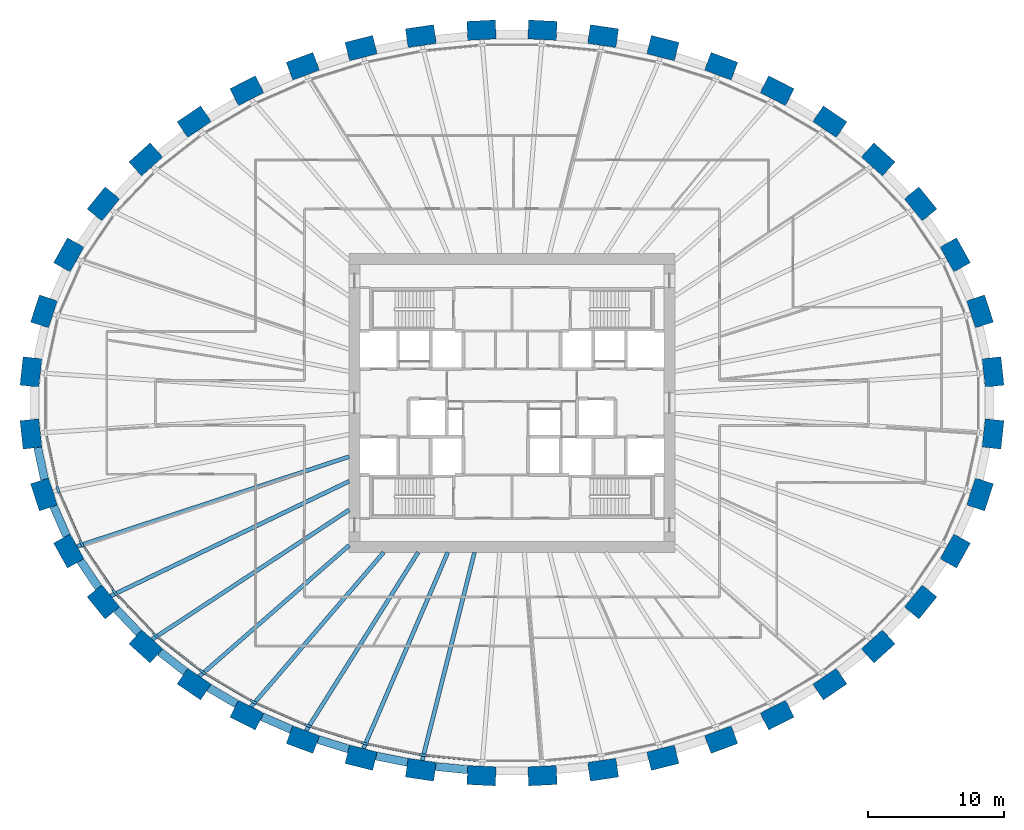
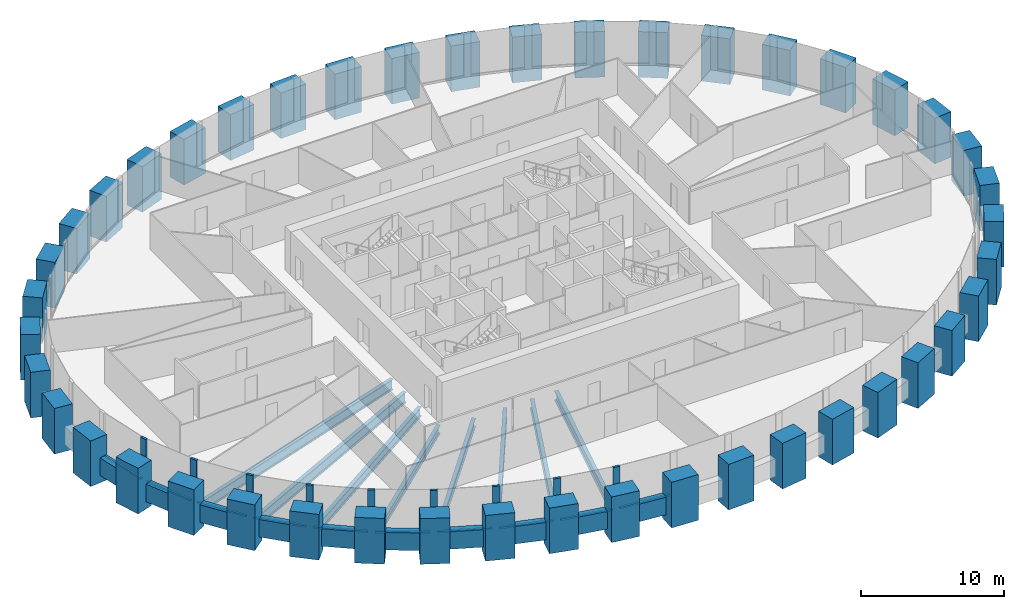
# One storey, part 1 of 11: 44 columns, 19 members, 18 beams, 1 element without a shape of its own.
"""IFC4 building model written with IfcOpenShell, lengths in metres."""

from ifc_helpers import new_model, si_unit, direction, frame, origin, origin_2d, place, context, subcontext, project, spatial, rectangle, i_section, extrude, source, transform, mapped, material, material_profile, profile_set, type_object, element, aggregate, save


model = new_model("IFC4")

# Units and contexts
model_context = context("Model", 3, precision=1e-05, world=origin(), true_north=direction((0.0, 1.0)))
body_context = subcontext(model_context, "Body", "Model", "MODEL_VIEW")
ifc_project = project(units=[si_unit("LENGTHUNIT", "METRE"), si_unit("AREAUNIT", "SQUARE_METRE"), si_unit("VOLUMEUNIT", "CUBIC_METRE"), si_unit("PLANEANGLEUNIT", "RADIAN"), si_unit("MASSUNIT", "GRAM", prefix="KILO")], contexts=[model_context])

# Site, building, storey
site_placement = place(None, origin())
site = spatial("IfcSite", under=ifc_project, at=site_placement, CompositionType="ELEMENT")
building_placement = place(site_placement, origin())
building = spatial("IfcBuilding", under=site, at=building_placement, Name="Embergate Tower", CompositionType="ELEMENT")
storey_placement = place(building_placement, frame((0.0, 0.0, 211.199951171875)))
storey = spatial("IfcBuildingStorey", under=building, at=storey_placement, Name="L48", CompositionType="ELEMENT", Elevation=211.199951171875)

# Columns
ifc_material_1 = material(Name="Concrete C60", Category="concrete")
ifc_material_profile_1 = material_profile(ifc_material_1, rectangle(XDim=1.39990234375, YDim=2.10009765625, at=origin_2d()), Name="RC 1400x2100")
ifc_profile_set_1 = profile_set([ifc_material_profile_1], Name="Concrete C60")
column_type = type_object("IfcColumnType", Name="Ring column RC 1400x2100 C60", PredefinedType="COLUMN", material=ifc_profile_set_1)
shared_shape_1 = source(origin(), body_context, "Body", "SweptSolid", [
    extrude(rectangle(XDim=1.39990234375, YDim=2.10009765625, at=origin_2d()), origin(), (0.0, 0.0, 1.0), 3.89990234375),
])
for number, where, z_axis, x_axis, name in (
    (1, (35.43701171875, 2.281982421875, -1.39990234375), (0.0, 0.0, 1.0), (0.99428589498, 0.106749983816, 0.0), "COL-L48-00"),
    (2, (34.47802734375, 6.739013671875, -1.39990234375), (0.0, 0.0, 1.0), (0.950754033697, 0.309946394413, 0.0), "COL-L48-01"),
    (3, (32.64990234375, 10.906982421875, -1.39990234375), (0.0, 0.0, 1.0), (0.873500465855, 0.486823311018, 0.0), "COL-L48-02"),
    (4, (30.097900390625, 14.659912109375, -1.39990234375), (0.0, 0.0, 1.0), (0.775925311702, 0.630824786022, 0.0), "COL-L48-03"),
    (5, (26.97509765625, 17.93603515625, -1.39990234375), (0.0, 0.0, 1.0), (0.669221393633, 0.743063070206, 0.0), "COL-L48-04"),
    (6, (23.4150390625, 20.714111328125, -1.39990234375), (0.0, 0.0, 1.0), (0.560393279442, 0.828226643109, 0.0), "COL-L48-05"),
    (7, (19.530029296875, 22.998046875, -1.39990234375), (0.0, 0.0, 1.0), (0.453010512651, 0.891505174089, 0.0), "COL-L48-06"),
    (8, (15.407958984375, 24.801025390625, -1.39990234375), (0.0, 0.0, 1.0), (0.348343015724, 0.93736713373, 0.0), "COL-L48-07"),
    (9, (11.115966796875, 26.137939453125, -1.39990234375), (0.0, 0.0, 1.0), (0.24650851817, 0.969140624713, 0.0), "COL-L48-08"),
    (10, (6.7119140625, 27.02099609375, -1.39990234375), (0.0, 0.0, 1.0), (0.146929011949, 0.989147039346, 0.0), "COL-L48-09"),
    (11, (2.243896484375, 27.4599609375, -1.39990234375), (0.0, 0.0, 1.0), (0.048814904854, 0.998807841912, 0.0), "COL-L48-10"),
    (12, (-2.243896484375, 27.4599609375, -1.39990234375), (0.0, 0.0, 1.0), (-0.048814904854, 0.998807841912, 0.0), "COL-L48-11"),
    (13, (-6.7119140625, 27.02099609375, -1.39990234375), (0.0, 0.0, 1.0), (-0.146929011949, 0.989147039346, 0.0), "COL-L48-12"),
    (14, (-11.115966796875, 26.137939453125, -1.39990234375), (0.0, 0.0, 1.0), (-0.24650851817, 0.969140624713, 0.0), "COL-L48-13"),
    (15, (-15.407958984375, 24.801025390625, -1.39990234375), (0.0, 0.0, 1.0), (-0.348343015724, 0.93736713373, 0.0), "COL-L48-14"),
    (16, (-19.530029296875, 22.998046875, -1.39990234375), (0.0, 0.0, 1.0), (-0.453010512651, 0.891505174089, 0.0), "COL-L48-15"),
    (17, (-23.4150390625, 20.714111328125, -1.39990234375), (0.0, 0.0, 1.0), (-0.560393279442, 0.828226643109, 0.0), "COL-L48-16"),
    (18, (-26.97509765625, 17.93603515625, -1.39990234375), (0.0, 0.0, 1.0), (-0.669221393633, 0.743063070206, 0.0), "COL-L48-17"),
    (19, (-30.097900390625, 14.659912109375, -1.39990234375), (0.0, 0.0, 1.0), (-0.775925311702, 0.630824786022, 0.0), "COL-L48-18"),
    (20, (-32.64990234375, 10.906982421875, -1.39990234375), (0.0, 0.0, 1.0), (-0.873500465855, 0.486823311018, 0.0), "COL-L48-19"),
    (21, (-34.47802734375, 6.739013671875, -1.39990234375), (0.0, 0.0, 1.0), (-0.950754033697, 0.309946394413, 0.0), "COL-L48-20"),
    (22, (-35.43701171875, 2.281982421875, -1.39990234375), (0.0, 0.0, 1.0), (-0.99428589498, 0.106749983816, 0.0), "COL-L48-21"),
    (23, (-35.43701171875, -2.281982421875, -1.39990234375), (0.0, 0.0, 1.0), (-0.99428589498, -0.106749983816, 0.0), "COL-L48-22"),
    (24, (-34.47802734375, -6.739013671875, -1.39990234375), (0.0, 0.0, 1.0), (-0.950754033697, -0.309946394413, 0.0), "COL-L48-23"),
    (25, (-32.64990234375, -10.906982421875, -1.39990234375), (0.0, 0.0, 1.0), (-0.873500465855, -0.486823311018, 0.0), "COL-L48-24"),
    (26, (-30.097900390625, -14.659912109375, -1.39990234375), (0.0, 0.0, 1.0), (-0.775925311702, -0.630824786022, 0.0), "COL-L48-25"),
    (27, (-26.97509765625, -17.93603515625, -1.39990234375), (0.0, 0.0, 1.0), (-0.669221393633, -0.743063070206, 0.0), "COL-L48-26"),
    (28, (-23.4150390625, -20.714111328125, -1.39990234375), (0.0, 0.0, 1.0), (-0.560393279442, -0.828226643109, 0.0), "COL-L48-27"),
    (29, (-19.530029296875, -22.998046875, -1.39990234375), (0.0, 0.0, 1.0), (-0.453010512651, -0.891505174089, 0.0), "COL-L48-28"),
    (30, (-15.407958984375, -24.801025390625, -1.39990234375), (0.0, 0.0, 1.0), (-0.348343015724, -0.93736713373, 0.0), "COL-L48-29"),
    (31, (-11.115966796875, -26.137939453125, -1.39990234375), (0.0, 0.0, 1.0), (-0.24650851817, -0.969140624713, 0.0), "COL-L48-30"),
    (32, (-6.7119140625, -27.02099609375, -1.39990234375), (0.0, 0.0, 1.0), (-0.146929011949, -0.989147039346, 0.0), "COL-L48-31"),
    (33, (-2.243896484375, -27.4599609375, -1.39990234375), (0.0, 0.0, 1.0), (-0.048814904854, -0.998807841912, 0.0), "COL-L48-32"),
    (34, (2.243896484375, -27.4599609375, -1.39990234375), (0.0, 0.0, 1.0), (0.048814904854, -0.998807841912, 0.0), "COL-L48-33"),
    (35, (6.7119140625, -27.02099609375, -1.39990234375), (0.0, 0.0, 1.0), (0.146929011949, -0.989147039346, 0.0), "COL-L48-34"),
    (36, (11.115966796875, -26.137939453125, -1.39990234375), (0.0, 0.0, 1.0), (0.24650851817, -0.969140624713, 0.0), "COL-L48-35"),
    (37, (15.407958984375, -24.801025390625, -1.39990234375), (0.0, 0.0, 1.0), (0.348343015724, -0.93736713373, 0.0), "COL-L48-36"),
    (38, (19.530029296875, -22.998046875, -1.39990234375), (0.0, 0.0, 1.0), (0.453010512651, -0.891505174089, 0.0), "COL-L48-37"),
    (39, (23.4150390625, -20.714111328125, -1.39990234375), (0.0, 0.0, 1.0), (0.560393279442, -0.828226643109, 0.0), "COL-L48-38"),
    (40, (26.97509765625, -17.93603515625, -1.39990234375), (0.0, 0.0, 1.0), (0.669221393633, -0.743063070206, 0.0), "COL-L48-39"),
    (41, (30.097900390625, -14.659912109375, -1.39990234375), (0.0, 0.0, 1.0), (0.775925311702, -0.630824786022, 0.0), "COL-L48-40"),
    (42, (32.64990234375, -10.906982421875, -1.39990234375), (0.0, 0.0, 1.0), (0.873500465855, -0.486823311018, 0.0), "COL-L48-41"),
    (43, (34.47802734375, -6.739013671875, -1.39990234375), (0.0, 0.0, 1.0), (0.950754033697, -0.309946394413, 0.0), "COL-L48-42"),
    (44, (35.43701171875, -2.281982421875, -1.39990234375), (0.0, 0.0, 1.0), (0.99428589498, -0.106749983816, 0.0), "COL-L48-43"),
):
    element("IfcColumn", number, at=place(storey_placement, frame(where, z_axis=z_axis, x_axis=x_axis)), inside=storey, type_object=column_type, Name=name, PredefinedType="COLUMN", context=body_context, shape_type="MappedRepresentation", body=[
        mapped(shared_shape_1, transform((0.0, 0.0, 0.0))),
    ])

# Beams
ifc_material_profile_2 = material_profile(ifc_material_1, rectangle(XDim=0.60009765625, YDim=1.5, at=origin_2d()), Name="RC 600x1500")
ifc_profile_set_2 = profile_set([ifc_material_profile_2], Name="Concrete C60")
beam_type_1 = type_object("IfcBeamType", Name="Spandrel beam RC 600x1500 C60", PredefinedType="BEAM", material=ifc_profile_set_2)
shared_shape_2 = source(origin(), body_context, "Body", "SweptSolid", [
    extrude(rectangle(XDim=0.60009765625, YDim=1.5, at=origin_2d()), origin(), (0.0, 0.0, 1.0), 2.3896484375),
])
beam_1_placement = place(storey_placement, frame((-34.93896484375, -3.284912109375, 0.0), z_axis=(0.21045693854, -0.977603128586, 0.0), x_axis=(0.977603128586, 0.21045693854, 0.0)))
element("IfcBeam", 45, at=beam_1_placement, inside=storey, type_object=beam_type_1, Name="SPN-L48-22", PredefinedType="BEAM", context=body_context, shape_type="MappedRepresentation", body=[
    mapped(shared_shape_2, transform((0.0, 0.0, 0.0))),
])
shared_shape_3 = source(origin(), body_context, "Body", "SweptSolid", [
    extrude(rectangle(XDim=0.60009765625, YDim=1.5, at=origin_2d()), origin(), (0.0, 0.0, 1.0), 2.3837890625),
])
beam_2_placement = place(storey_placement, frame((-33.77099609375, -7.613037109375, 0.0), z_axis=(0.401876968148, -0.915693672836, 0.0), x_axis=(0.915693672836, 0.401876968148, 0.0)))
element("IfcBeam", 46, at=beam_2_placement, inside=storey, type_object=beam_type_1, Name="SPN-L48-23", PredefinedType="BEAM", context=body_context, shape_type="MappedRepresentation", body=[
    mapped(shared_shape_3, transform((0.0, 0.0, 0.0))),
])
shared_shape_4 = source(origin(), body_context, "Body", "SweptSolid", [
    extrude(rectangle(XDim=0.60009765625, YDim=1.5, at=origin_2d()), origin(), (0.0, 0.0, 1.0), 2.379150390625),
])
beam_3_placement = place(storey_placement, frame((-31.797119140625, -11.633056640625, 0.0), z_axis=(0.562467199194, -0.826819599327, 0.0), x_axis=(0.826819599327, 0.562467199194, 0.0)))
element("IfcBeam", 47, at=beam_3_placement, inside=storey, type_object=beam_type_1, Name="SPN-L48-24", PredefinedType="BEAM", context=body_context, shape_type="MappedRepresentation", body=[
    mapped(shared_shape_4, transform((0.0, 0.0, 0.0))),
])
shared_shape_5 = source(origin(), body_context, "Body", "SweptSolid", [
    extrude(rectangle(XDim=0.60009765625, YDim=1.5, at=origin_2d()), origin(), (0.0, 0.0, 1.0), 2.370849609375),
])
beam_4_placement = place(storey_placement, frame((-29.1240234375, -15.220947265625, 0.0), z_axis=(0.690017631866, -0.723792558482, 0.0), x_axis=(0.723792558482, 0.690017631866, 0.0)))
element("IfcBeam", 48, at=beam_4_placement, inside=storey, type_object=beam_type_1, Name="SPN-L48-25", PredefinedType="BEAM", context=body_context, shape_type="MappedRepresentation", body=[
    mapped(shared_shape_5, transform((0.0, 0.0, 0.0))),
])
shared_shape_6 = source(origin(), body_context, "Body", "SweptSolid", [
    extrude(rectangle(XDim=0.60009765625, YDim=1.5, at=origin_2d()), origin(), (0.0, 0.0, 1.0), 2.366943359375),
])
beam_5_placement = place(storey_placement, frame((-25.931884765625, -18.345947265625, 0.0), z_axis=(0.788379233054, -0.615189552, 0.0), x_axis=(0.615189552, 0.788379233054, 0.0)))
element("IfcBeam", 49, at=beam_5_placement, inside=storey, type_object=beam_type_1, Name="SPN-L48-26", PredefinedType="BEAM", context=body_context, shape_type="MappedRepresentation", body=[
    mapped(shared_shape_6, transform((0.0, 0.0, 0.0))),
])
shared_shape_7 = source(origin(), body_context, "Body", "SweptSolid", [
    extrude(rectangle(XDim=0.60009765625, YDim=1.5, at=origin_2d()), origin(), (0.0, 0.0, 1.0), 2.36279296875),
])
beam_6_placement = place(storey_placement, frame((-22.3291015625, -20.98291015625, 0.0), z_axis=(0.862170527893, -0.50661818052, 0.0), x_axis=(0.50661818052, 0.862170527893, 0.0)))
element("IfcBeam", 50, at=beam_6_placement, inside=storey, type_object=beam_type_1, Name="SPN-L48-27", PredefinedType="BEAM", context=body_context, shape_type="MappedRepresentation", body=[
    mapped(shared_shape_7, transform((0.0, 0.0, 0.0))),
])
shared_shape_8 = source(origin(), body_context, "Body", "SweptSolid", [
    extrude(rectangle(XDim=0.60009765625, YDim=1.5, at=origin_2d()), origin(), (0.0, 0.0, 1.0), 2.357421875),
])
beam_7_placement = place(storey_placement, frame((-18.4130859375, -23.116943359375, 0.0), z_axis=(0.91630938503, -0.400471111201, 0.0), x_axis=(0.400471111201, 0.91630938503, 0.0)))
element("IfcBeam", 51, at=beam_7_placement, inside=storey, type_object=beam_type_1, Name="SPN-L48-28", PredefinedType="BEAM", context=body_context, shape_type="MappedRepresentation", body=[
    mapped(shared_shape_8, transform((0.0, 0.0, 0.0))),
])
shared_shape_9 = source(origin(), body_context, "Body", "SweptSolid", [
    extrude(rectangle(XDim=0.60009765625, YDim=1.5, at=origin_2d()), origin(), (0.0, 0.0, 1.0), 2.3564453125),
])
beam_8_placement = place(storey_placement, frame((-14.285888671875, -24.7958984375, 0.0), z_axis=(0.95483326256, -0.297142122073, 0.0), x_axis=(0.297142122073, 0.95483326256, 0.0)))
element("IfcBeam", 52, at=beam_8_placement, inside=storey, type_object=beam_type_1, Name="SPN-L48-29", PredefinedType="BEAM", context=body_context, shape_type="MappedRepresentation", body=[
    mapped(shared_shape_9, transform((0.0, 0.0, 0.0))),
])
shared_shape_10 = source(origin(), body_context, "Body", "SweptSolid", [
    extrude(rectangle(XDim=0.60009765625, YDim=1.5, at=origin_2d()), origin(), (0.0, 0.0, 1.0), 2.353515625),
])
beam_9_placement = place(storey_placement, frame((-10.0009765625, -26.01611328125, 0.0), z_axis=(0.980552738639, -0.196255768698, 0.0), x_axis=(0.196255768698, 0.980552738639, 0.0)))
element("IfcBeam", 53, at=beam_9_placement, inside=storey, type_object=beam_type_1, Name="SPN-L48-30", PredefinedType="BEAM", context=body_context, shape_type="MappedRepresentation", body=[
    mapped(shared_shape_10, transform((0.0, 0.0, 0.0))),
])
shared_shape_11 = source(origin(), body_context, "Body", "SweptSolid", [
    extrude(rectangle(XDim=0.60009765625, YDim=1.5, at=origin_2d()), origin(), (0.0, 0.0, 1.0), 2.353271484375),
])
beam_10_placement = place(storey_placement, frame((-5.615966796875, -26.7880859375, 0.0), z_axis=(0.99521330308, -0.097726564318, 0.0), x_axis=(0.097726564318, 0.99521330308, 0.0)))
element("IfcBeam", 54, at=beam_10_placement, inside=storey, type_object=beam_type_1, Name="SPN-L48-31", PredefinedType="BEAM", context=body_context, shape_type="MappedRepresentation", body=[
    mapped(shared_shape_11, transform((0.0, 0.0, 0.0))),
])
ifc_material_2 = material(Name="Steel Q355B", Category="steel")
ifc_material_profile_3 = material_profile(ifc_material_2, i_section(OverallWidth=0.300048828125, OverallDepth=0.89990234375, WebThickness=0.01611328125, FlangeThickness=0.028076171875, FilletRadius=0.028076171875, at=origin_2d()), Name="HN 900x300x16x28")
ifc_profile_set_3 = profile_set([ifc_material_profile_3], Name="Steel Q355 grade B")
beam_type_2 = type_object("IfcBeamType", Name="Radial girder HN 900x300x16x28", PredefinedType="BEAM", material=ifc_profile_set_3)
shared_shape_12 = source(origin(), body_context, "Body", "SweptSolid", [
    extrude(i_section(OverallWidth=0.300048828125, OverallDepth=0.89990234375, WebThickness=0.01611328125, FlangeThickness=0.028076171875, FilletRadius=0.028076171875, at=origin_2d()), origin(), (0.0, 0.0, 1.0), 21.100341796875),
])
beam_11_placement = place(storey_placement, frame((-32.0390625, -10.56591796875, -0.64990234375), z_axis=(0.949698867802, 0.313164590106, 0.0), x_axis=(-0.313164590106, 0.949698867802, 0.0)))
element("IfcBeam", 55, at=beam_11_placement, inside=storey, type_object=beam_type_2, Name="GIR-L48-24", PredefinedType="BEAM", context=body_context, shape_type="MappedRepresentation", body=[
    mapped(shared_shape_12, transform((0.0, 0.0, 0.0))),
])
shared_shape_13 = source(origin(), body_context, "Body", "SweptSolid", [
    extrude(i_section(OverallWidth=0.300048828125, OverallDepth=0.89990234375, WebThickness=0.01611328125, FlangeThickness=0.028076171875, FilletRadius=0.028076171875, at=origin_2d()), origin(), (0.0, 0.0, 1.0), 19.480712890625),
])
beam_12_placement = place(storey_placement, frame((-29.554931640625, -14.218017578125, -0.64990234375), z_axis=(0.901148212086, 0.433511130023, 0.0), x_axis=(-0.433511130023, 0.901148212086, 0.0)))
element("IfcBeam", 56, at=beam_12_placement, inside=storey, type_object=beam_type_2, Name="GIR-L48-25", PredefinedType="BEAM", context=body_context, shape_type="MappedRepresentation", body=[
    mapped(shared_shape_13, transform((0.0, 0.0, 0.0))),
])
ifc_material_profile_4 = material_profile(ifc_material_2, i_section(OverallWidth=0.300048828125, OverallDepth=0.800048828125, WebThickness=0.013916015625, FlangeThickness=0.02587890625, FilletRadius=0.028076171875, at=origin_2d()), Name="HN 800x300x14x26")
ifc_profile_set_4 = profile_set([ifc_material_profile_4], Name="Steel Q355 grade B")
beam_type_3 = type_object("IfcBeamType", Name="Radial girder HN 800x300x14x26", PredefinedType="BEAM", material=ifc_profile_set_4)
shared_shape_14 = source(origin(), body_context, "Body", "SweptSolid", [
    extrude(i_section(OverallWidth=0.300048828125, OverallDepth=0.800048828125, WebThickness=0.013916015625, FlangeThickness=0.02587890625, FilletRadius=0.028076171875, at=origin_2d()), origin(), (0.0, 0.0, 1.0), 17.3583984375),
])
beam_13_placement = place(storey_placement, frame((-26.507080078125, -17.416015625, -0.599853515625), z_axis=(0.835738306524, 0.549127929547, 0.0), x_axis=(-0.549127929547, 0.835738306524, 0.0)))
element("IfcBeam", 57, at=beam_13_placement, inside=storey, type_object=beam_type_3, Name="GIR-L48-26", PredefinedType="BEAM", context=body_context, shape_type="MappedRepresentation", body=[
    mapped(shared_shape_14, transform((0.0, 0.0, 0.0))),
])
ifc_material_profile_5 = material_profile(ifc_material_2, i_section(OverallWidth=0.300048828125, OverallDepth=0.699951171875, WebThickness=0.012939453125, FlangeThickness=0.02392578125, FilletRadius=0.01806640625, at=origin_2d()), Name="HN 700x300x13x24")
ifc_profile_set_5 = profile_set([ifc_material_profile_5], Name="Steel Q355 grade B")
beam_type_4 = type_object("IfcBeamType", Name="Radial girder HN 700x300x13x24", PredefinedType="BEAM", material=ifc_profile_set_5)
shared_shape_15 = source(origin(), body_context, "Body", "SweptSolid", [
    extrude(i_section(OverallWidth=0.300048828125, OverallDepth=0.699951171875, WebThickness=0.012939453125, FlangeThickness=0.02392578125, FilletRadius=0.01806640625, at=origin_2d()), origin(), (0.0, 0.0, 1.0), 14.643798828125),
])
beam_14_placement = place(storey_placement, frame((-23.02294921875, -20.134033203125, -0.550048828125), z_axis=(0.752743981282, 0.658313374195, 0.0), x_axis=(-0.658313374195, 0.752743981282, 0.0)))
element("IfcBeam", 58, at=beam_14_placement, inside=storey, type_object=beam_type_4, Name="GIR-L48-27", PredefinedType="BEAM", context=body_context, shape_type="MappedRepresentation", body=[
    mapped(shared_shape_15, transform((0.0, 0.0, 0.0))),
])
shared_shape_16 = source(origin(), body_context, "Body", "SweptSolid", [
    extrude(i_section(OverallWidth=0.300048828125, OverallDepth=0.699951171875, WebThickness=0.012939453125, FlangeThickness=0.02392578125, FilletRadius=0.01806640625, at=origin_2d()), origin(), (0.0, 0.0, 1.0), 14.991943359375),
])
beam_15_placement = place(storey_placement, frame((-19.212890625, -22.3740234375, -0.550048828125), z_axis=(0.651471048315, 0.758673495785, 0.0), x_axis=(-0.758673495785, 0.651471048315, 0.0)))
element("IfcBeam", 59, at=beam_15_placement, inside=storey, type_object=beam_type_4, Name="GIR-L48-28", PredefinedType="BEAM", context=body_context, shape_type="MappedRepresentation", body=[
    mapped(shared_shape_16, transform((0.0, 0.0, 0.0))),
])
shared_shape_17 = source(origin(), body_context, "Body", "SweptSolid", [
    extrude(i_section(OverallWidth=0.300048828125, OverallDepth=0.800048828125, WebThickness=0.013916015625, FlangeThickness=0.02587890625, FilletRadius=0.028076171875, at=origin_2d()), origin(), (0.0, 0.0, 1.0), 15.522216796875),
])
beam_16_placement = place(storey_placement, frame((-15.1640625, -24.14501953125, -0.599853515625), z_axis=(0.531827158809, 0.846852922976, 0.0), x_axis=(-0.846852922976, 0.531827158809, 0.0)))
element("IfcBeam", 60, at=beam_16_placement, inside=storey, type_object=beam_type_3, Name="GIR-L48-29", PredefinedType="BEAM", context=body_context, shape_type="MappedRepresentation", body=[
    mapped(shared_shape_17, transform((0.0, 0.0, 0.0))),
])
shared_shape_18 = source(origin(), body_context, "Body", "SweptSolid", [
    extrude(i_section(OverallWidth=0.300048828125, OverallDepth=0.800048828125, WebThickness=0.013916015625, FlangeThickness=0.02587890625, FilletRadius=0.028076171875, at=origin_2d()), origin(), (0.0, 0.0, 1.0), 15.739013671875),
])
beam_17_placement = place(storey_placement, frame((-10.943115234375, -25.4599609375, -0.599853515625), z_axis=(0.394883218824, 0.918731322799, 0.0), x_axis=(-0.918731322799, 0.394883218824, 0.0)))
element("IfcBeam", 61, at=beam_17_placement, inside=storey, type_object=beam_type_3, Name="GIR-L48-30", PredefinedType="BEAM", context=body_context, shape_type="MappedRepresentation", body=[
    mapped(shared_shape_18, transform((0.0, 0.0, 0.0))),
])
shared_shape_19 = source(origin(), body_context, "Body", "SweptSolid", [
    extrude(i_section(OverallWidth=0.300048828125, OverallDepth=0.800048828125, WebThickness=0.013916015625, FlangeThickness=0.02587890625, FilletRadius=0.028076171875, at=origin_2d()), origin(), (0.0, 0.0, 1.0), 15.8046875),
])
beam_18_placement = place(storey_placement, frame((-6.60888671875, -26.3291015625, -0.599853515625), z_axis=(0.243465990326, 0.969909434718, 0.0), x_axis=(-0.969909434718, 0.243465990326, 0.0)))
element("IfcBeam", 62, at=beam_18_placement, inside=storey, type_object=beam_type_3, Name="GIR-L48-31", PredefinedType="BEAM", context=body_context, shape_type="MappedRepresentation", body=[
    mapped(shared_shape_19, transform((0.0, 0.0, 0.0))),
])

# Curtain wall, members
ifc_material_3 = material(Name="Aluminium and glass", Category="aluminium")
curtain_wall_type = type_object("IfcCurtainWallType", Name="Recessed office glazing", PredefinedType="NOTDEFINED", material=ifc_material_3)
curtain_wall_placement = place(storey_placement, origin())
curtain_wall = element("IfcCurtainWall", 63, at=curtain_wall_placement, inside=storey, type_object=curtain_wall_type, Name="Recessed office glazing ring", ObjectType="RECESSED OFFICE GLAZING", PredefinedType="USERDEFINED")
ifc_material_4 = material(Name="Aluminium, thermally broken", Category="aluminium")
ifc_material_profile_6 = material_profile(ifc_material_4, rectangle(XDim=0.179931640625, YDim=0.52001953125, at=origin_2d()), Name="AL 520x180")
ifc_profile_set_6 = profile_set([ifc_material_profile_6], Name="Aluminium, thermally broken")
member_type_1 = type_object("IfcMemberType", Name="Office mullion", PredefinedType="MULLION", material=ifc_profile_set_6)
shared_shape_20 = source(origin(), body_context, "Body", "SweptSolid", [
    extrude(rectangle(XDim=0.179931640625, YDim=0.52001953125, at=origin_2d()), origin(), (0.0, 0.0, 1.0), 3.699951171875),
])
member_1_placement = place(storey_placement, frame((-33.44140625, -6.401611328125, 0.0), z_axis=(0.0, 0.0, 1.0), x_axis=(0.951497797992, 0.307655554826, 0.0)))
member_1 = element("IfcMember", 64, at=member_1_placement, type_object=member_type_1, Name="CW mullion 24", PredefinedType="MULLION", context=body_context, shape_type="MappedRepresentation", body=[
    mapped(shared_shape_20, transform((0.0, 0.0, 0.0))),
])
member_2_placement = place(storey_placement, frame((-31.697998046875, -10.376220703125, 0.0), z_axis=(0.0, 0.0, 1.0), x_axis=(0.875002740779, 0.484117964581, 0.0)))
member_2 = element("IfcMember", 65, at=member_2_placement, type_object=member_type_1, Name="CW mullion 25", PredefinedType="MULLION", context=body_context, shape_type="MappedRepresentation", body=[
    mapped(shared_shape_20, transform((0.0, 0.0, 0.0))),
])
member_3_placement = place(storey_placement, frame((-29.25244140625, -13.972412109375, 0.0), z_axis=(0.0, 0.0, 1.0), x_axis=(0.777874757957, 0.628419335264, 0.0)))
member_3 = element("IfcMember", 66, at=member_3_placement, type_object=member_type_1, Name="CW mullion 26", PredefinedType="MULLION", context=body_context, shape_type="MappedRepresentation", body=[
    mapped(shared_shape_20, transform((0.0, 0.0, 0.0))),
])
member_4_placement = place(storey_placement, frame((-26.245361328125, -17.125732421875, 0.0), z_axis=(0.0, 0.0, 1.0), x_axis=(0.671230415135, 0.741248763775, 0.0)))
member_4 = element("IfcMember", 67, at=member_4_placement, type_object=member_type_1, Name="CW mullion 27", PredefinedType="MULLION", context=body_context, shape_type="MappedRepresentation", body=[
    mapped(shared_shape_20, transform((0.0, 0.0, 0.0))),
])
member_5_placement = place(storey_placement, frame((-22.804443359375, -19.811279296875, 0.0), z_axis=(0.0, 0.0, 1.0), x_axis=(0.562220505278, 0.826987365953, 0.0)))
member_5 = element("IfcMember", 68, at=member_5_placement, type_object=member_type_1, Name="CW mullion 28", PredefinedType="MULLION", context=body_context, shape_type="MappedRepresentation", body=[
    mapped(shared_shape_20, transform((0.0, 0.0, 0.0))),
])
member_6_placement = place(storey_placement, frame((-19.03662109375, -22.026611328125, 0.0), z_axis=(0.0, 0.0, 1.0), x_axis=(0.454514489796, 0.890739343784, 0.0)))
member_6 = element("IfcMember", 69, at=member_6_placement, type_object=member_type_1, Name="CW mullion 29", PredefinedType="MULLION", context=body_context, shape_type="MappedRepresentation", body=[
    mapped(shared_shape_20, transform((0.0, 0.0, 0.0))),
])
member_7_placement = place(storey_placement, frame((-15.02783203125, -23.779296875, 0.0), z_axis=(0.0, 0.0, 1.0), x_axis=(0.34950595337, 0.936934143128, 0.0)))
member_7 = element("IfcMember", 70, at=member_7_placement, type_object=member_type_1, Name="CW mullion 30", PredefinedType="MULLION", context=body_context, shape_type="MappedRepresentation", body=[
    mapped(shared_shape_20, transform((0.0, 0.0, 0.0))),
])
member_8_placement = place(storey_placement, frame((-10.847412109375, -25.081298828125, 0.0), z_axis=(0.0, 0.0, 1.0), x_axis=(0.247315263593, 0.968935065107, 0.0)))
member_8 = element("IfcMember", 71, at=member_8_placement, type_object=member_type_1, Name="CW mullion 31", PredefinedType="MULLION", context=body_context, shape_type="MappedRepresentation", body=[
    mapped(shared_shape_20, transform((0.0, 0.0, 0.0))),
])
member_9_placement = place(storey_placement, frame((-6.55224609375, -25.94287109375, 0.0), z_axis=(0.0, 0.0, 1.0), x_axis=(0.14741410908, 0.98907486089, 0.0)))
member_9 = element("IfcMember", 72, at=member_9_placement, type_object=member_type_1, Name="CW mullion 32", PredefinedType="MULLION", context=body_context, shape_type="MappedRepresentation", body=[
    mapped(shared_shape_20, transform((0.0, 0.0, 0.0))),
])
ifc_material_profile_7 = material_profile(ifc_material_4, rectangle(XDim=0.179931640625, YDim=0.14990234375, at=origin_2d()), Name="AL 150x180")
ifc_profile_set_7 = profile_set([ifc_material_profile_7], Name="Aluminium, thermally broken")
member_type_2 = type_object("IfcMemberType", Name="Office sill transom", PredefinedType="USERDEFINED", material=ifc_profile_set_7)
shared_shape_21 = source(origin(), body_context, "Body", "SweptSolid", [
    extrude(rectangle(XDim=0.179931640625, YDim=0.14990234375, at=origin_2d()), origin(), (0.0, 0.0, 1.0), 3.8134765625),
])
member_10_placement = place(storey_placement, frame((-34.29833984375, -2.41943359375, 0.074951171875), z_axis=(0.210377227089, -0.977620285347, 0.0), x_axis=(0.977620285347, 0.210377227089, 0.0)))
member_10 = element("IfcMember", 73, at=member_10_placement, type_object=member_type_2, Name="CW transom 23.1", ObjectType="TRANSOM", PredefinedType="USERDEFINED", context=body_context, shape_type="MappedRepresentation", body=[
    mapped(shared_shape_21, transform((0.0, 0.0, 0.0))),
])
shared_shape_22 = source(origin(), body_context, "Body", "SweptSolid", [
    extrude(rectangle(XDim=0.179931640625, YDim=0.14990234375, at=origin_2d()), origin(), (0.0, 0.0, 1.0), 3.8203125),
])
member_11_placement = place(storey_placement, frame((-33.3369140625, -6.6396484375, 0.074951171875), z_axis=(0.401656793595, -0.915790270837, 0.0), x_axis=(0.915790270837, 0.401656793595, 0.0)))
member_11 = element("IfcMember", 74, at=member_11_placement, type_object=member_type_2, Name="CW transom 24.1", ObjectType="TRANSOM", PredefinedType="USERDEFINED", context=body_context, shape_type="MappedRepresentation", body=[
    mapped(shared_shape_22, transform((0.0, 0.0, 0.0))),
])
shared_shape_23 = source(origin(), body_context, "Body", "SweptSolid", [
    extrude(rectangle(XDim=0.179931640625, YDim=0.14990234375, at=origin_2d()), origin(), (0.0, 0.0, 1.0), 3.828857421875),
])
member_12_placement = place(storey_placement, frame((-31.552001953125, -10.59130859375, 0.074951171875), z_axis=(0.56238675743, -0.826874316367, 0.0), x_axis=(0.826874316367, 0.56238675743, 0.0)))
member_12 = element("IfcMember", 75, at=member_12_placement, type_object=member_type_2, Name="CW transom 25.1", ObjectType="TRANSOM", PredefinedType="USERDEFINED", context=body_context, shape_type="MappedRepresentation", body=[
    mapped(shared_shape_23, transform((0.0, 0.0, 0.0))),
])
shared_shape_24 = source(origin(), body_context, "Body", "SweptSolid", [
    extrude(rectangle(XDim=0.179931640625, YDim=0.14990234375, at=origin_2d()), origin(), (0.0, 0.0, 1.0), 3.83740234375),
])
member_13_placement = place(storey_placement, frame((-29.072998046875, -14.160400390625, 0.074951171875), z_axis=(0.690110982846, -0.723703552123, 0.0), x_axis=(0.723703552123, 0.690110982846, 0.0)))
member_13 = element("IfcMember", 76, at=member_13_placement, type_object=member_type_2, Name="CW transom 26.1", ObjectType="TRANSOM", PredefinedType="USERDEFINED", context=body_context, shape_type="MappedRepresentation", body=[
    mapped(shared_shape_24, transform((0.0, 0.0, 0.0))),
])
shared_shape_25 = source(origin(), body_context, "Body", "SweptSolid", [
    extrude(rectangle(XDim=0.179931640625, YDim=0.14990234375, at=origin_2d()), origin(), (0.0, 0.0, 1.0), 3.8447265625),
])
member_14_placement = place(storey_placement, frame((-26.040283203125, -17.28564453125, 0.074951171875), z_axis=(0.788284232177, -0.615311278379, 0.0), x_axis=(0.615311278379, 0.788284232177, 0.0)))
member_14 = element("IfcMember", 77, at=member_14_placement, type_object=member_type_2, Name="CW transom 27.1", ObjectType="TRANSOM", PredefinedType="USERDEFINED", context=body_context, shape_type="MappedRepresentation", body=[
    mapped(shared_shape_25, transform((0.0, 0.0, 0.0))),
])
shared_shape_26 = source(origin(), body_context, "Body", "SweptSolid", [
    extrude(rectangle(XDim=0.179931640625, YDim=0.14990234375, at=origin_2d()), origin(), (0.0, 0.0, 1.0), 3.850830078125),
])
member_15_placement = place(storey_placement, frame((-22.580322265625, -19.943115234375, 0.074951171875), z_axis=(0.862051539353, -0.506820622607, 0.0), x_axis=(0.506820622607, 0.862051539353, 0.0)))
member_15 = element("IfcMember", 78, at=member_15_placement, type_object=member_type_2, Name="CW transom 28.1", ObjectType="TRANSOM", PredefinedType="USERDEFINED", context=body_context, shape_type="MappedRepresentation", body=[
    mapped(shared_shape_26, transform((0.0, 0.0, 0.0))),
])
shared_shape_27 = source(origin(), body_context, "Body", "SweptSolid", [
    extrude(rectangle(XDim=0.179931640625, YDim=0.14990234375, at=origin_2d()), origin(), (0.0, 0.0, 1.0), 3.855224609375),
])
member_16_placement = place(storey_placement, frame((-18.79833984375, -22.130615234375, 0.074951171875), z_axis=(0.916221273565, -0.400672656749, 0.0), x_axis=(0.400672656749, 0.916221273565, 0.0)))
member_16 = element("IfcMember", 79, at=member_16_placement, type_object=member_type_2, Name="CW transom 29.1", ObjectType="TRANSOM", PredefinedType="USERDEFINED", context=body_context, shape_type="MappedRepresentation", body=[
    mapped(shared_shape_27, transform((0.0, 0.0, 0.0))),
])
shared_shape_28 = source(origin(), body_context, "Body", "SweptSolid", [
    extrude(rectangle(XDim=0.179931640625, YDim=0.14990234375, at=origin_2d()), origin(), (0.0, 0.0, 1.0), 3.8583984375),
])
member_17_placement = place(storey_placement, frame((-14.779541015625, -23.856689453125, 0.074951171875), z_axis=(0.954755412544, -0.297392169061, 0.0), x_axis=(0.297392169061, 0.954755412544, 0.0)))
member_17 = element("IfcMember", 80, at=member_17_placement, type_object=member_type_2, Name="CW transom 30.1", ObjectType="TRANSOM", PredefinedType="USERDEFINED", context=body_context, shape_type="MappedRepresentation", body=[
    mapped(shared_shape_28, transform((0.0, 0.0, 0.0))),
])
shared_shape_29 = source(origin(), body_context, "Body", "SweptSolid", [
    extrude(rectangle(XDim=0.179931640625, YDim=0.14990234375, at=origin_2d()), origin(), (0.0, 0.0, 1.0), 3.860595703125),
])
member_18_placement = place(storey_placement, frame((-10.59228515625, -25.132568359375, 0.074951171875), z_axis=(0.980480823499, -0.196614736859, 0.0), x_axis=(0.196614736859, 0.980480823499, 0.0)))
member_18 = element("IfcMember", 81, at=member_18_placement, type_object=member_type_2, Name="CW transom 31.1", ObjectType="TRANSOM", PredefinedType="USERDEFINED", context=body_context, shape_type="MappedRepresentation", body=[
    mapped(shared_shape_29, transform((0.0, 0.0, 0.0))),
])
shared_shape_30 = source(origin(), body_context, "Body", "SweptSolid", [
    extrude(rectangle(XDim=0.179931640625, YDim=0.14990234375, at=origin_2d()), origin(), (0.0, 0.0, 1.0), 3.862060546875),
])
member_19_placement = place(storey_placement, frame((-6.29345703125, -25.96826171875, 0.074951171875), z_axis=(0.995200439085, -0.097857478225, 0.0), x_axis=(0.097857478225, 0.995200439085, 0.0)))
member_19 = element("IfcMember", 82, at=member_19_placement, type_object=member_type_2, Name="CW transom 32.1", ObjectType="TRANSOM", PredefinedType="USERDEFINED", context=body_context, shape_type="MappedRepresentation", body=[
    mapped(shared_shape_30, transform((0.0, 0.0, 0.0))),
])
aggregate(curtain_wall, [member_1, member_2, member_3, member_4, member_5, member_6, member_7, member_8, member_9, member_10, member_11, member_12, member_13, member_14, member_15, member_16, member_17, member_18, member_19])

save(model, "model.ifc")
